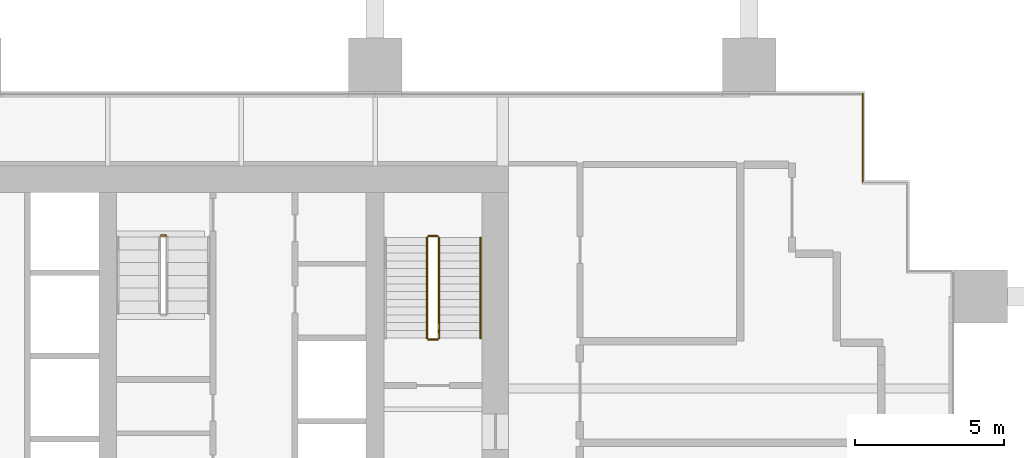
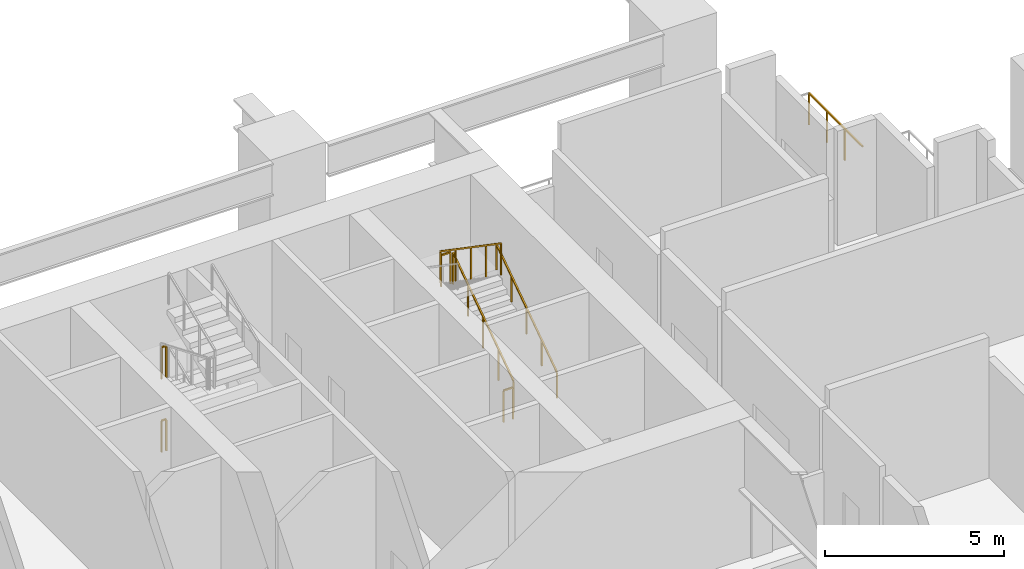
# One storey, part 10 of 11: 8 railings.
"""IFC4 building model written with IfcOpenShell, lengths in metres."""

import ifcopenshell
import ifcopenshell.guid

model = None  # the IFC model being written
_history = None  # IfcOwnerHistory: only IFC2X3 demands one
_inside = {}  # id of a spatial element -> (the spatial element, [elements in it])
_under = {}  # id of a project, library or spatial element -> (it, [spatial elements below it])
_declared = {}  # id of a project -> (the project, [libraries it declares])
_typed = {}  # id of a type object -> (the type object, [elements of that type])
_made_of = {}  # id of a material, layer set ... -> (it, [elements and type objects made of it])


def new_model(schema):
    """Start an empty IFC model of exactly this schema.

    Asked for "IFC4X3", IfcOpenShell would pick the latest addendum, in which some entities
    have other attributes; the version numbers below select the first issue.
    IFC2X3 requires an IfcOwnerHistory on every rooted entity: one is made here for all.
    """
    global model, _history
    if schema == "IFC4X3":
        model = ifcopenshell.file(schema_version=(4, 3, 0, 0))
    else:
        model = ifcopenshell.file(schema=schema)
    _inside.clear()
    _under.clear()
    _declared.clear()
    _typed.clear()
    _made_of.clear()
    _history = None
    if model.schema == "IFC2X3":
        org = make("IfcOrganization", Name="unknown")
        user = make(
            "IfcPersonAndOrganization",
            ThePerson=make("IfcPerson", FamilyName="unknown"),
            TheOrganization=org,
        )
        app = make(
            "IfcApplication",
            ApplicationDeveloper=org,
            Version="unknown",
            ApplicationFullName="unknown",
            ApplicationIdentifier="unknown",
        )
        _history = make(
            "IfcOwnerHistory",
            OwningUser=user,
            OwningApplication=app,
            ChangeAction="ADDED",
            CreationDate=0,
        )
    return model


def make(cls, **values):
    """One entity of the class cls with the attributes given. An attribute that is None is left unset."""
    return model.create_entity(
        cls, **{name: value for name, value in values.items() if value is not None}
    )


def rooted(cls, **values):
    """An entity with a GlobalId (a new one), such as an element, a storey or a relation."""
    return make(cls, GlobalId=ifcopenshell.guid.new(), OwnerHistory=_history, **values)


def si_unit(unit_type, name, prefix=None):
    """IfcSIUnit, for example si_unit("LENGTHUNIT", "METRE", prefix="MILLI")."""
    return make("IfcSIUnit", UnitType=unit_type, Prefix=prefix, Name=name)


def assignment(units):
    """IfcUnitAssignment: the units of a project."""
    return None if units is None else make("IfcUnitAssignment", Units=units)


def point(xyz):
    """IfcCartesianPoint."""
    return None if xyz is None else make("IfcCartesianPoint", Coordinates=xyz)


def direction(xyz):
    """IfcDirection."""
    return None if xyz is None else make("IfcDirection", DirectionRatios=xyz)


def frame(location, z_axis=None, x_axis=None):
    """IfcAxis2Placement3D, a coordinate frame: its origin and axes. An axis left out is left unset."""
    return make(
        "IfcAxis2Placement3D",
        Location=point(location),
        Axis=direction(z_axis),
        RefDirection=direction(x_axis),
    )


def frame_2d(location, x_axis=None):
    """IfcAxis2Placement2D, a coordinate frame in the plane: its origin and x axis."""
    return make(
        "IfcAxis2Placement2D", Location=point(location), RefDirection=direction(x_axis)
    )


def origin():
    """The frame at (0, 0, 0) with its axes left unset."""
    return frame((0.0, 0.0, 0.0))


def origin_2d():
    """The frame at (0, 0) in the plane with its x axis left unset."""
    return frame_2d((0.0, 0.0))


def place(relative_to, where):
    """IfcLocalPlacement: puts the frame where relative to a parent placement (None: the world)."""
    return make(
        "IfcLocalPlacement", PlacementRelTo=relative_to, RelativePlacement=where
    )


def context(
    kind, dimensions, precision=None, world=None, true_north=None, identifier=None
):
    """IfcGeometricRepresentationContext, for example the 3D "Model" context."""
    return make(
        "IfcGeometricRepresentationContext",
        ContextIdentifier=identifier,
        ContextType=kind,
        CoordinateSpaceDimension=dimensions,
        Precision=precision,
        WorldCoordinateSystem=world,
        TrueNorth=true_north,
    )


def subcontext(parent, identifier, kind, view, scale=None):
    """IfcGeometricRepresentationSubContext, for example "Body" below "Model"."""
    return make(
        "IfcGeometricRepresentationSubContext",
        ContextIdentifier=identifier,
        ContextType=kind,
        ParentContext=parent,
        TargetScale=scale,
        TargetView=view,
    )


def project(units=None, contexts=None):
    """IfcProject with its units and contexts."""
    return rooted(
        "IfcProject",
        Name="project",
        RepresentationContexts=contexts,
        UnitsInContext=assignment(units),
    )


def spatial(cls, under=None, at=None, **own):
    """A site, building, storey or space (cls), placed at a placement, below another one or the project."""
    s = rooted(cls, ObjectPlacement=at, **own)
    if under is not None:
        _under.setdefault(under.id(), (under, []))[1].append(s)
    return s


def profile(cls, at=None, kind="AREA", **sizes):
    """A parametric profile (cls). Its sizes go by their IFC names, for example OverallWidth=200.0."""
    return make(cls, ProfileType=kind, Position=at, **sizes)


def rectangle(**sizes):
    """IfcRectangleProfileDef."""
    return profile("IfcRectangleProfileDef", **sizes)


def extrude(swept, where, along, depth):
    """IfcExtrudedAreaSolid: the profile swept, set in the frame where, extruded along a direction by depth."""
    return make(
        "IfcExtrudedAreaSolid",
        SweptArea=swept,
        Position=where,
        ExtrudedDirection=direction(along),
        Depth=depth,
    )


def shape(context_of_items, identifier, shape_type, items):
    """IfcShapeRepresentation: the items that make up one representation, for example the "Body"."""
    return make(
        "IfcShapeRepresentation",
        ContextOfItems=context_of_items,
        RepresentationIdentifier=identifier,
        RepresentationType=shape_type,
        Items=items,
    )


def material(Name=None, Category=None):
    """IfcMaterial."""
    return make("IfcMaterial", Name=Name, Category=Category)


def made_of(thing, what):
    """Note that an element or type object is made of a material, layer set ...; save() writes the relation."""
    if what is not None:
        _made_of.setdefault(what.id(), (what, []))[1].append(thing)
    return thing


def type_object(cls, material=None, **own):
    """A type object (cls), such as IfcWallType, which elements share."""
    return made_of(rooted(cls, **own), material)


def element(
    cls,
    number,
    at=None,
    inside=None,
    cuts=None,
    type_object=None,
    material=None,
    context=None,
    identifier="Body",
    shape_type=None,
    held_by="IfcProductDefinitionShape",
    body=None,
    shapes=None,
    **own,
):
    """One element of the class cls, such as IfcWall. Its Tag is "e" and its number.

    at: its placement. inside: the storey or other place that contains it. cuts: it is an
    opening in that element (IfcRelVoidsElement). A single representation is given by context,
    identifier, shape_type and body (its items); several are given by shapes. held_by: the class
    of the entity that holds the representations. save() writes the other relations.
    """
    e = rooted(cls, Tag="e%d" % number, ObjectPlacement=at, **own)
    if body is not None:
        shapes = [shape(context, identifier, shape_type, body)]
    if shapes is not None:
        e.Representation = make(held_by, Representations=shapes)
    if inside is not None:
        _inside.setdefault(inside.id(), (inside, []))[1].append(e)
    if cuts is not None:
        rooted(
            "IfcRelVoidsElement", RelatingBuildingElement=cuts, RelatedOpeningElement=e
        )
    if type_object is not None:
        _typed.setdefault(type_object.id(), (type_object, []))[1].append(e)
    return made_of(e, material)


def aggregate(whole, parts):
    """IfcRelAggregates: a whole, such as a stair, and the parts it consists of."""
    return rooted("IfcRelAggregates", RelatingObject=whole, RelatedObjects=parts)


def save(model, path):
    """Write the relations noted so far, then the file.

    IfcRelAggregates (storeys below a building ...), IfcRelContainedInSpatialStructure (elements
    in a storey), IfcRelDefinesByType, IfcRelAssociatesMaterial and IfcRelDeclares: one each for
    every whole, place, type object, material and project.
    """
    for whole, parts in _under.values():
        aggregate(whole, parts)
    for where, things in _inside.values():
        rooted(
            "IfcRelContainedInSpatialStructure",
            RelatedElements=things,
            RelatingStructure=where,
        )
    for kind, things in _typed.values():
        rooted("IfcRelDefinesByType", RelatedObjects=things, RelatingType=kind)
    for what, things in _made_of.values():
        rooted("IfcRelAssociatesMaterial", RelatedObjects=things, RelatingMaterial=what)
    for by, libraries in _declared.values():
        rooted("IfcRelDeclares", RelatingContext=by, RelatedDefinitions=libraries)
    model.write(path)


model = new_model("IFC4")

# Units and contexts
model_context = context("Model", 3, precision=1e-05, world=origin(), true_north=direction((0.0, 1.0)))
body_context = subcontext(model_context, "Body", "Model", "MODEL_VIEW")
ifc_project = project(units=[si_unit("LENGTHUNIT", "METRE"), si_unit("AREAUNIT", "SQUARE_METRE"), si_unit("VOLUMEUNIT", "CUBIC_METRE"), si_unit("PLANEANGLEUNIT", "RADIAN"), si_unit("MASSUNIT", "GRAM", prefix="KILO")], contexts=[model_context])

# Site, building, storey
site_placement = place(None, origin())
site = spatial("IfcSite", under=ifc_project, at=site_placement, CompositionType="ELEMENT")
building_placement = place(site_placement, origin())
building = spatial("IfcBuilding", under=site, at=building_placement, Name="Rattan Terrace Tower", CompositionType="ELEMENT")
storey_placement = place(building_placement, frame((0.0, 0.0, 69.300048828125)))
storey = spatial("IfcBuildingStorey", under=building, at=storey_placement, Name="L15", CompositionType="ELEMENT", Elevation=69.300048828125)

# Railings
ifc_material_1 = material(Name="Powder-coated steel guard", Category="steel")
railing_type_1 = type_object("IfcRailingType", Name="Core stair guard", PredefinedType="GUARDRAIL", material=ifc_material_1)
railing_1_placement = place(storey_placement, frame((15.64990234375, 1.699951171875, 0.178466796875)))
element("IfcRailing", 1, at=railing_1_placement, inside=storey, type_object=railing_type_1, Name="L15 S2 stair guard 1", PredefinedType="GUARDRAIL", context=body_context, shape_type="SweptSolid", body=[
    extrude(rectangle(XDim=0.048095703125, YDim=0.048095703125, at=origin_2d()), frame((0.0, 0.0, 1.076171875), z_axis=(0.0, 0.824304150675, 0.566147213346), x_axis=(-1.0, 0.0, 0.0)), (0.0, 0.0, 1.0), 4.1005859375),
    extrude(rectangle(XDim=0.0419921875, YDim=0.0419921875, at=origin_2d()), origin(), (0.0, 0.0, 1.0), 1.052001953125),
    extrude(rectangle(XDim=0.0419921875, YDim=0.0419921875, at=origin_2d()), frame((0.0, 0.844970703125, 0.580322265625)), (0.0, 0.0, 1.0), 1.052001953125),
    extrude(rectangle(XDim=0.0419921875, YDim=0.0419921875, at=origin_2d()), frame((0.0, 1.68994140625, 1.16064453125)), (0.0, 0.0, 1.0), 1.052001953125),
    extrude(rectangle(XDim=0.0419921875, YDim=0.0419921875, at=origin_2d()), frame((0.0, 2.53515625, 1.7412109375)), (0.0, 0.0, 1.0), 1.052001953125),
    extrude(rectangle(XDim=0.0419921875, YDim=0.0419921875, at=origin_2d()), frame((0.0, 3.380126953125, 2.321533203125)), (0.0, 0.0, 1.0), 1.052001953125),
])
railing_2_placement = place(storey_placement, frame((15.60009765625, 5.1298828125, 2.5)))
element("IfcRailing", 2, at=railing_2_placement, inside=storey, type_object=railing_type_1, Name="L15 S2 stair guard 2", PredefinedType="GUARDRAIL", context=body_context, shape_type="SweptSolid", body=[
    extrude(rectangle(XDim=0.048095703125, YDim=0.048095703125, at=origin_2d()), frame((0.0, 0.0, 1.076171875), z_axis=(-1.0, 0.0, 0.0), x_axis=(0.0, -1.0, 0.0)), (0.0, 0.0, 1.0), 0.300048828125),
    extrude(rectangle(XDim=0.0419921875, YDim=0.0419921875, at=origin_2d()), origin(), (0.0, 0.0, 1.0), 1.052001953125),
    extrude(rectangle(XDim=0.0419921875, YDim=0.0419921875, at=origin_2d()), frame((-0.300048828125, 0.0, 0.0)), (0.0, 0.0, 1.0), 1.052001953125),
])
railing_3_placement = place(storey_placement, frame((15.25, 5.080078125, 2.678466796875)))
element("IfcRailing", 3, at=railing_3_placement, inside=storey, type_object=railing_type_1, Name="L15 S2 stair guard 3", PredefinedType="GUARDRAIL", context=body_context, shape_type="SweptSolid", body=[
    extrude(rectangle(XDim=0.048095703125, YDim=0.048095703125, at=origin_2d()), frame((0.0, 0.0, 1.076171875), z_axis=(0.0, -0.824304150675, 0.566147213346), x_axis=(1.0, 0.0, 0.0)), (0.0, 0.0, 1.0), 4.1005859375),
    extrude(rectangle(XDim=0.0419921875, YDim=0.0419921875, at=origin_2d()), origin(), (0.0, 0.0, 1.0), 1.052001953125),
    extrude(rectangle(XDim=0.0419921875, YDim=0.0419921875, at=origin_2d()), frame((0.0, -0.844970703125, 0.580322265625)), (0.0, 0.0, 1.0), 1.052001953125),
    extrude(rectangle(XDim=0.0419921875, YDim=0.0419921875, at=origin_2d()), frame((0.0, -1.68994140625, 1.16064453125)), (0.0, 0.0, 1.0), 1.052001953125),
    extrude(rectangle(XDim=0.0419921875, YDim=0.0419921875, at=origin_2d()), frame((0.0, -2.53515625, 1.7412109375)), (0.0, 0.0, 1.0), 1.052001953125),
    extrude(rectangle(XDim=0.0419921875, YDim=0.0419921875, at=origin_2d()), frame((0.0, -3.380126953125, 2.321533203125)), (0.0, 0.0, 1.0), 1.052001953125),
])
railing_4_placement = place(storey_placement, frame((15.60009765625, 1.64990234375, 0.0)))
element("IfcRailing", 4, at=railing_4_placement, inside=storey, type_object=railing_type_1, Name="L15 S2 stair guard 4", PredefinedType="GUARDRAIL", context=body_context, shape_type="SweptSolid", body=[
    extrude(rectangle(XDim=0.048095703125, YDim=0.048095703125, at=origin_2d()), frame((0.0, 0.0, 1.076171875), z_axis=(-1.0, 0.0, 0.0), x_axis=(0.0, -1.0, 0.0)), (0.0, 0.0, 1.0), 0.300048828125),
    extrude(rectangle(XDim=0.0419921875, YDim=0.0419921875, at=origin_2d()), origin(), (0.0, 0.0, 1.0), 1.052001953125),
    extrude(rectangle(XDim=0.0419921875, YDim=0.0419921875, at=origin_2d()), frame((-0.300048828125, 0.0, 0.0)), (0.0, 0.0, 1.0), 1.052001953125),
])
for number, where, name in (
    (5, (6.300048828125, 5.14990234375, 2.5), "L15 S3 stair guard 4"),
    (6, (6.300048828125, 5.14990234375, 0.0), "L15 S3 stair guard 8"),
):
    element("IfcRailing", number, at=place(storey_placement, frame(where)), inside=storey, type_object=railing_type_1, Name=name, PredefinedType="GUARDRAIL", context=body_context, shape_type="SweptSolid", body=[
        extrude(rectangle(XDim=0.048095703125, YDim=0.048095703125, at=origin_2d()), frame((0.0, 0.0, 1.076171875), z_axis=(1.0, 0.0, 0.0), x_axis=(0.0, 1.0, 0.0)), (0.0, 0.0, 1.0), 0.14990234375),
        extrude(rectangle(XDim=0.0419921875, YDim=0.0419921875, at=origin_2d()), origin(), (0.0, 0.0, 1.0), 1.052001953125),
        extrude(rectangle(XDim=0.0419921875, YDim=0.0419921875, at=origin_2d()), frame((0.14990234375, 0.0, 0.0)), (0.0, 0.0, 1.0), 1.052001953125),
    ])
ifc_material_2 = material(Name="Powder-coated steel handrail", Category="steel")
railing_type_2 = type_object("IfcRailingType", Name="Core stair handrail", PredefinedType="HANDRAIL", material=ifc_material_2)
railing_5_placement = place(storey_placement, frame((17.050048828125, 1.699951171875, 0.178466796875)))
element("IfcRailing", 7, at=railing_5_placement, inside=storey, type_object=railing_type_2, Name="L15 S2 stair handrail 1", PredefinedType="HANDRAIL", context=body_context, shape_type="SweptSolid", body=[
    extrude(rectangle(XDim=0.048095703125, YDim=0.048095703125, at=origin_2d()), frame((0.0, 0.0, 0.8759765625), z_axis=(0.0, 0.824304150675, 0.566147213346), x_axis=(-1.0, 0.0, 0.0)), (0.0, 0.0, 1.0), 4.1005859375),
    extrude(rectangle(XDim=0.0419921875, YDim=0.0419921875, at=origin_2d()), origin(), (0.0, 0.0, 1.0), 0.851806640625),
    extrude(rectangle(XDim=0.0419921875, YDim=0.0419921875, at=origin_2d()), frame((0.0, 0.844970703125, 0.580322265625)), (0.0, 0.0, 1.0), 0.851806640625),
    extrude(rectangle(XDim=0.0419921875, YDim=0.0419921875, at=origin_2d()), frame((0.0, 1.68994140625, 1.16064453125)), (0.0, 0.0, 1.0), 0.851806640625),
    extrude(rectangle(XDim=0.0419921875, YDim=0.0419921875, at=origin_2d()), frame((0.0, 2.53515625, 1.7412109375)), (0.0, 0.0, 1.0), 0.851806640625),
    extrude(rectangle(XDim=0.0419921875, YDim=0.0419921875, at=origin_2d()), frame((0.0, 3.380126953125, 2.321533203125)), (0.0, 0.0, 1.0), 0.851806640625),
])
ifc_material_3 = material(Name="Stainless steel 316", Category="steel")
railing_type_3 = type_object("IfcRailingType", Name="Facade Guard 1100", PredefinedType="GUARDRAIL", material=ifc_material_3)
railing_6_placement = place(storey_placement, frame((29.919921875, 9.919921875, 0.0)))
element("IfcRailing", 8, at=railing_6_placement, inside=storey, type_object=railing_type_3, Name="Guard L15-12", PredefinedType="GUARDRAIL", context=body_context, shape_type="SweptSolid", body=[
    extrude(rectangle(XDim=0.048095703125, YDim=0.048095703125, at=origin_2d()), frame((0.0, 0.0, 1.076171875), z_axis=(0.0, -1.0, 0.0), x_axis=(1.0, 0.0, 0.0)), (0.0, 0.0, 1.0), 3.0),
    extrude(rectangle(XDim=0.0419921875, YDim=0.0419921875, at=origin_2d()), origin(), (0.0, 0.0, 1.0), 1.052001953125),
    extrude(rectangle(XDim=0.0419921875, YDim=0.0419921875, at=origin_2d()), frame((0.0, -1.0, 0.0)), (0.0, 0.0, 1.0), 1.052001953125),
    extrude(rectangle(XDim=0.0419921875, YDim=0.0419921875, at=origin_2d()), frame((0.0, -2.0, 0.0)), (0.0, 0.0, 1.0), 1.052001953125),
])

save(model, "model.ifc")
